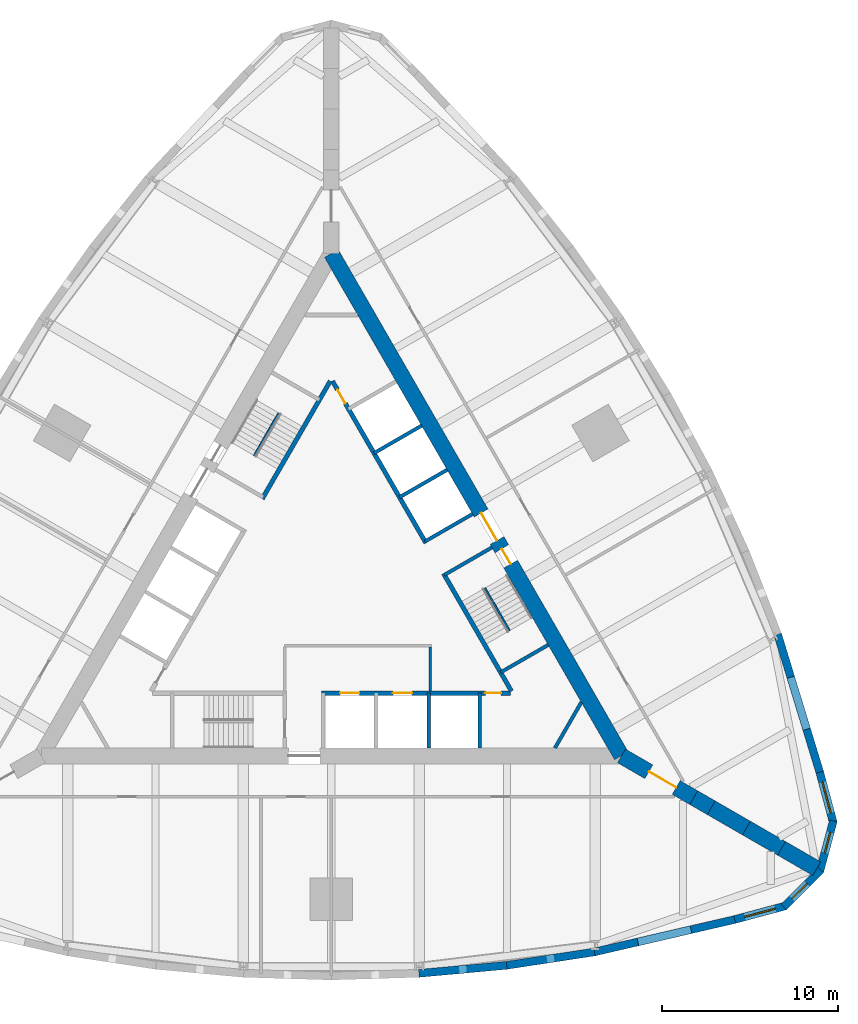
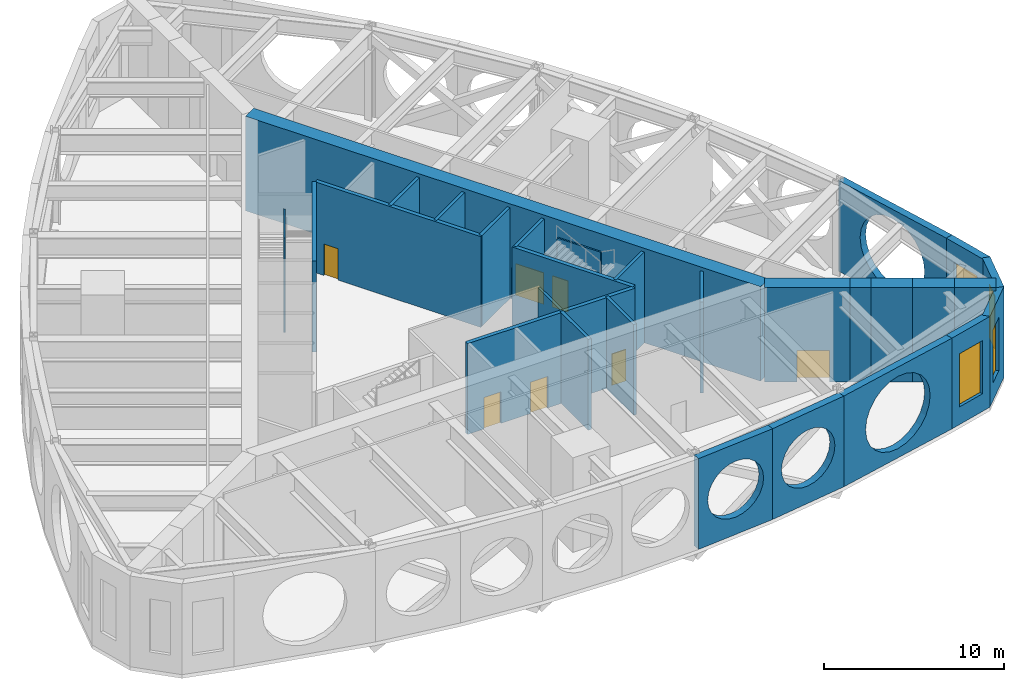
# One storey, part 4 of 7: 29 walls, 7 doors, 4 windows, 11 openings.
"""IFC4 building model written with IfcOpenShell, lengths in metres."""

from ifc_helpers import new_model, si_unit, direction, frame, frame_2d, origin, place, context, subcontext, project, spatial, polyline, rectangle, outline, extrude, material, layer, layer_set, type_object, element, fill, save


model = new_model("IFC4")

# Units and contexts
model_context = context("Model", 3, precision=1e-05, world=origin(), true_north=direction((0.0, 1.0)))
body_context = subcontext(model_context, "Body", "Model", "MODEL_VIEW")
ifc_project = project(units=[si_unit("LENGTHUNIT", "METRE"), si_unit("AREAUNIT", "SQUARE_METRE"), si_unit("VOLUMEUNIT", "CUBIC_METRE"), si_unit("PLANEANGLEUNIT", "RADIAN"), si_unit("MASSUNIT", "GRAM", prefix="KILO")], contexts=[model_context])

# Site, building, storey
site_placement = place(None, origin())
site = spatial("IfcSite", under=ifc_project, at=site_placement, CompositionType="ELEMENT")
building_placement = place(site_placement, origin())
building = spatial("IfcBuilding", under=site, at=building_placement, Name="Trikona Tower", CompositionType="ELEMENT")
storey_placement = place(building_placement, frame((0.0, 0.0, 103.300048828125)))
storey = spatial("IfcBuildingStorey", under=building, at=storey_placement, Name="L27", CompositionType="ELEMENT", Elevation=103.300048828125)

# Wall, opening, window
ifc_material_1 = material(Name="Brick-faced precast concrete", Category="masonry")
ifc_layer_1 = layer(ifc_material_1, 0.449951171875)
ifc_layer_set_1 = layer_set([ifc_layer_1], Name="Brick-faced corner wall 450")
wall_type_1 = type_object("IfcWallType", Name="Brick-faced corner wall 450", PredefinedType="SOLIDWALL", material=ifc_layer_set_1)
wall_1_placement = place(storey_placement, frame((22.94189453125, -18.835205078125, 0.0), z_axis=(0.0, 0.0, 1.0), x_axis=(0.965930548995, 0.258801419081, 0.0)))
wall_1 = element("IfcWall", 1, at=wall_1_placement, inside=storey, type_object=wall_type_1, Name="External wall L27-08", PredefinedType="SOLIDWALL", context=body_context, shape_type="SweptSolid", body=[
    extrude(rectangle(XDim=2.988525390625, YDim=0.449951171875, at=frame_2d((1.494140625, 0.0))), origin(), (0.0, 0.0, 1.0), 6.14990234375),
])
opening_1_placement = place(wall_1_placement, frame((0.59423828125, 0.0, 1.199951171875)))
opening_1 = element("IfcOpeningElement", 2, at=opening_1_placement, cuts=wall_1, Name="Opening W1836", PredefinedType="OPENING", context=body_context, shape_type="SweptSolid", body=[
    extrude(rectangle(XDim=1.800048828125, YDim=3.60009765625, at=frame_2d((0.89990234375, 1.800048828125))), frame((0.0, 0.23486328125, 0.0), z_axis=(0.0, -1.0, 0.0), x_axis=(1.0, 0.0, 0.0)), (0.0, 0.0, 1.0), 0.469970703125),
])
ifc_material_2 = material(Name="Aluminium-framed double glazing", Category="aluminium")
window_type_1 = type_object("IfcWindowType", Name="Window 1800x3600", PartitioningType="SINGLE_PANEL", PredefinedType="WINDOW", material=ifc_material_2)
window_1_placement = place(opening_1_placement, origin())
window_1 = element("IfcWindow", 3, at=window_1_placement, inside=storey, type_object=window_type_1, Name="Window L27-RFG1", OverallHeight=3.60009765625, OverallWidth=1.800048828125, PartitioningType="SINGLE_PANEL", PredefinedType="WINDOW", context=body_context, shape_type="SweptSolid", body=[
    extrude(rectangle(XDim=1.800048828125, YDim=3.60009765625, at=frame_2d((0.89990234375, 1.800048828125))), frame((0.0, 0.030029296875, 0.0), z_axis=(0.0, -1.0, 0.0), x_axis=(1.0, 0.0, 0.0)), (0.0, 0.0, 1.0), 0.06005859375),
])
fill(opening_1, window_1)

wall_2_placement = place(storey_placement, frame((25.727783203125, -18.1201171875, 0.0), z_axis=(0.0, 0.0, 1.0), x_axis=(0.707025086683, 0.707188466253, 0.0)))
wall_2 = element("IfcWall", 4, at=wall_2_placement, inside=storey, type_object=wall_type_1, Name="External wall L27-09", PredefinedType="SOLIDWALL", context=body_context, shape_type="SweptSolid", body=[
    extrude(outline(polyline([(2.988525390625, 0.22509765625), (2.929931640625, 0.22509765625), (2.4375, 0.093017578125), (2.402099609375, 0.22509765625), (0.0, 0.22509765625), (0.0, -0.22509765625), (2.988525390625, -0.22509765625), (2.988525390625, 0.22509765625)])), origin(), (0.0, 0.0, 1.0), 6.14990234375),
])
opening_2_placement = place(wall_2_placement, frame((0.676025390625, 0.0, 1.199951171875)))
opening_2 = element("IfcOpeningElement", 5, at=opening_2_placement, cuts=wall_2, Name="Opening W1236", PredefinedType="OPENING", context=body_context, shape_type="SweptSolid", body=[
    extrude(rectangle(XDim=1.199951171875, YDim=3.60009765625, at=frame_2d((0.60009765625, 1.800048828125))), frame((0.0, 0.23486328125, 0.0), z_axis=(0.0, -1.0, 0.0), x_axis=(1.0, 0.0, 0.0)), (0.0, 0.0, 1.0), 0.469970703125),
])
ifc_material_3 = material(Name="Aluminium-framed double glazing", Category="aluminium")
window_type_2 = type_object("IfcWindowType", Name="Window 1200x3600", PartitioningType="SINGLE_PANEL", PredefinedType="WINDOW", material=ifc_material_3)
window_2_placement = place(opening_2_placement, origin())
window_2 = element("IfcWindow", 6, at=window_2_placement, inside=storey, type_object=window_type_2, Name="Window L27-RFG1", OverallHeight=3.60009765625, OverallWidth=1.199951171875, PartitioningType="SINGLE_PANEL", PredefinedType="WINDOW", context=body_context, shape_type="SweptSolid", body=[
    extrude(rectangle(XDim=1.199951171875, YDim=3.60009765625, at=frame_2d((0.60009765625, 1.800048828125))), frame((0.0, 0.030029296875, 0.0), z_axis=(0.0, -1.0, 0.0), x_axis=(1.0, 0.0, 0.0)), (0.0, 0.0, 1.0), 0.06005859375),
])
fill(opening_2, window_2)

wall_3_placement = place(storey_placement, frame((27.78271484375, -16.107666015625, 0.0), z_axis=(0.0, 0.0, 1.0), x_axis=(0.258801419081, 0.965930548995, 0.0)))
wall_3 = element("IfcWall", 7, at=wall_3_placement, inside=storey, type_object=wall_type_1, Name="External wall L27-10", PredefinedType="SOLIDWALL", context=body_context, shape_type="SweptSolid", body=[
    extrude(outline(polyline([(2.988525390625, 0.22509765625), (0.58642578125, 0.22509765625), (0.55126953125, 0.09326171875), (0.0595703125, 0.22509765625), (0.0, 0.22509765625), (0.0, -0.22509765625), (2.988525390625, -0.22509765625), (2.988525390625, 0.22509765625)])), origin(), (0.0, 0.0, 1.0), 6.14990234375),
])
opening_3_placement = place(wall_3_placement, frame((1.112548828125, 0.0, 1.199951171875)))
opening_3 = element("IfcOpeningElement", 8, at=opening_3_placement, cuts=wall_3, Name="Opening W1236", PredefinedType="OPENING", context=body_context, shape_type="SweptSolid", body=[
    extrude(rectangle(XDim=1.199951171875, YDim=3.60009765625, at=frame_2d((0.60009765625, 1.800048828125))), frame((0.0, 0.23486328125, 0.0), z_axis=(0.0, -1.0, 0.0), x_axis=(1.0, 0.0, 0.0)), (0.0, 0.0, 1.0), 0.469970703125),
])
window_3_placement = place(opening_3_placement, origin())
window_3 = element("IfcWindow", 9, at=window_3_placement, inside=storey, type_object=window_type_2, Name="Window L27-HXR", OverallHeight=3.60009765625, OverallWidth=1.199951171875, PartitioningType="SINGLE_PANEL", PredefinedType="WINDOW", context=body_context, shape_type="SweptSolid", body=[
    extrude(rectangle(XDim=1.199951171875, YDim=3.60009765625, at=frame_2d((0.60009765625, 1.800048828125))), frame((0.0, 0.030029296875, 0.0), z_axis=(0.0, -1.0, 0.0), x_axis=(1.0, 0.0, 0.0)), (0.0, 0.0, 1.0), 0.06005859375),
])
fill(opening_3, window_3)

wall_4_placement = place(storey_placement, frame((28.55615234375, -13.33740234375, 0.0), z_axis=(0.0, 0.0, 1.0), x_axis=(-0.258780998834, 0.965936019953, 0.0)))
wall_4 = element("IfcWall", 10, at=wall_4_placement, inside=storey, type_object=wall_type_1, Name="External wall L27-11", PredefinedType="SOLIDWALL", context=body_context, shape_type="SweptSolid", body=[
    extrude(rectangle(XDim=2.98876953125, YDim=0.449951171875, at=frame_2d((1.494384765625, 0.0))), origin(), (0.0, 0.0, 1.0), 6.14990234375),
])
opening_4_placement = place(wall_4_placement, frame((0.59423828125, 0.0, 1.199951171875)))
opening_4 = element("IfcOpeningElement", 11, at=opening_4_placement, cuts=wall_4, Name="Opening W1836", PredefinedType="OPENING", context=body_context, shape_type="SweptSolid", body=[
    extrude(rectangle(XDim=1.800048828125, YDim=3.60009765625, at=frame_2d((0.89990234375, 1.800048828125))), frame((0.0, 0.23486328125, 0.0), z_axis=(0.0, -1.0, 0.0), x_axis=(1.0, 0.0, 0.0)), (0.0, 0.0, 1.0), 0.469970703125),
])
window_4_placement = place(opening_4_placement, origin())
window_4 = element("IfcWindow", 12, at=window_4_placement, inside=storey, type_object=window_type_1, Name="Window L27-HXR", OverallHeight=3.60009765625, OverallWidth=1.800048828125, PartitioningType="SINGLE_PANEL", PredefinedType="WINDOW", context=body_context, shape_type="SweptSolid", body=[
    extrude(rectangle(XDim=1.800048828125, YDim=3.60009765625, at=frame_2d((0.89990234375, 1.800048828125))), frame((0.0, 0.030029296875, 0.0), z_axis=(0.0, -1.0, 0.0), x_axis=(1.0, 0.0, 0.0)), (0.0, 0.0, 1.0), 0.06005859375),
])
fill(opening_4, window_4)

# Walls
ifc_material_4 = material(Name="Brick-faced precast concrete with louvred openings", Category="masonry")
ifc_layer_2 = layer(ifc_material_4, 0.449951171875)
ifc_layer_set_2 = layer_set([ifc_layer_2], Name="Brick-faced plant wall 450")
wall_type_2 = type_object("IfcWallType", Name="Brick-faced plant wall 450", PredefinedType="SOLIDWALL", material=ifc_layer_set_2)
wall_5_placement = place(storey_placement, frame((4.9794921875, -21.896240234375, 0.0), z_axis=(0.0, 0.0, 1.0), x_axis=(0.995857256774, 0.090930325692, 0.0)))
element("IfcWall", 13, at=wall_5_placement, inside=storey, type_object=wall_type_2, Name="External wall L27-05", PredefinedType="SOLIDWALL", context=body_context, shape_type="SweptSolid", body=[
    extrude(outline(polyline([(0.0, 0.0), (5.020751953125, 0.0), (5.020751953125, 6.14990234375), (0.0, 6.14990234375), (0.0, 0.0)]), holes=[polyline([(4.410400390625, 3.074951171875), (4.345703125, 3.566650390625), (4.15576171875, 4.02490234375), (3.85400390625, 4.41845703125), (3.46044921875, 4.720458984375), (3.002197265625, 4.91015625), (2.510498046875, 4.974853515625), (2.0185546875, 4.91015625), (1.560302734375, 4.720458984375), (1.1669921875, 4.41845703125), (0.864990234375, 4.02490234375), (0.675048828125, 3.566650390625), (0.6103515625, 3.074951171875), (0.675048828125, 2.583251953125), (0.864990234375, 2.125), (1.1669921875, 1.7314453125), (1.560302734375, 1.429443359375), (2.0185546875, 1.23974609375), (2.510498046875, 1.175048828125), (3.002197265625, 1.23974609375), (3.46044921875, 1.429443359375), (3.85400390625, 1.7314453125), (4.15576171875, 2.125), (4.345703125, 2.583251953125), (4.410400390625, 3.074951171875)])]), frame((0.0, 0.22509765625, 0.0), z_axis=(0.0, -1.0, 0.0), x_axis=(1.0, 0.0, 0.0)), (0.0, 0.0, 1.0), 0.449951171875),
])
wall_6_placement = place(storey_placement, frame((9.966064453125, -21.44140625, 0.0), z_axis=(0.0, 0.0, 1.0), x_axis=(0.988622582897, 0.150417381265, 0.0)))
element("IfcWall", 14, at=wall_6_placement, inside=storey, type_object=wall_type_2, Name="External wall L27-06", PredefinedType="SOLIDWALL", context=body_context, shape_type="SweptSolid", body=[
    extrude(outline(polyline([(0.0, 0.0), (5.0576171875, 0.0), (5.0576171875, 6.14990234375), (0.0, 6.14990234375), (0.0, 0.0)]), holes=[polyline([(4.4287109375, 3.074951171875), (4.364013671875, 3.566650390625), (4.17431640625, 4.02490234375), (3.872314453125, 4.41845703125), (3.478759765625, 4.720458984375), (3.0205078125, 4.91015625), (2.52880859375, 4.974853515625), (2.037109375, 4.91015625), (1.578857421875, 4.720458984375), (1.185302734375, 4.41845703125), (0.88330078125, 4.02490234375), (0.693603515625, 3.566650390625), (0.62890625, 3.074951171875), (0.693603515625, 2.583251953125), (0.88330078125, 2.125), (1.185302734375, 1.7314453125), (1.578857421875, 1.429443359375), (2.037109375, 1.23974609375), (2.52880859375, 1.175048828125), (3.0205078125, 1.23974609375), (3.478759765625, 1.429443359375), (3.872314453125, 1.7314453125), (4.17431640625, 2.125), (4.364013671875, 2.583251953125), (4.4287109375, 3.074951171875)])]), frame((0.0, 0.22509765625, 0.0), z_axis=(0.0, -1.0, 0.0), x_axis=(1.0, 0.0, 0.0)), (0.0, 0.0, 1.0), 0.449951171875),
])
wall_7_placement = place(storey_placement, frame((14.94921875, -20.683837890625, 0.0), z_axis=(0.0, 0.0, 1.0), x_axis=(0.974279327392, 0.225343720163, 0.0)))
element("IfcWall", 15, at=wall_7_placement, inside=storey, type_object=wall_type_2, Name="External wall L27-07", PredefinedType="SOLIDWALL", context=body_context, shape_type="SweptSolid", body=[
    extrude(outline(polyline([(0.0, 0.0), (8.211181640625, 0.0), (8.211181640625, 6.14990234375), (0.0, 6.14990234375), (0.0, 0.0)]), holes=[polyline([(6.5556640625, 3.074951171875), (6.47216796875, 3.708984375), (6.227294921875, 4.300048828125), (5.837890625, 4.807373046875), (5.33056640625, 5.19677734375), (4.73974609375, 5.44140625), (4.105712890625, 5.52490234375), (3.471435546875, 5.44140625), (2.880615234375, 5.19677734375), (2.373291015625, 4.807373046875), (1.98388671875, 4.300048828125), (1.739013671875, 3.708984375), (1.655517578125, 3.074951171875), (1.739013671875, 2.44091796875), (1.98388671875, 1.849853515625), (2.373291015625, 1.342529296875), (2.880615234375, 0.953125), (3.471435546875, 0.70849609375), (4.105712890625, 0.625), (4.73974609375, 0.70849609375), (5.33056640625, 0.953125), (5.837890625, 1.342529296875), (6.227294921875, 1.849853515625), (6.47216796875, 2.44091796875), (6.5556640625, 3.074951171875)])]), frame((0.0, 0.22509765625, 0.0), z_axis=(0.0, -1.0, 0.0), x_axis=(1.0, 0.0, 0.0)), (0.0, 0.0, 1.0), 0.449951171875),
])
wall_8_placement = place(storey_placement, frame((27.784912109375, -10.4580078125, 0.0), z_axis=(0.0, 0.0, 1.0), x_axis=(-0.291997961298, 0.956418940945, 0.0)))
element("IfcWall", 16, at=wall_8_placement, inside=storey, type_object=wall_type_2, Name="External wall L27-12", PredefinedType="SOLIDWALL", context=body_context, shape_type="SweptSolid", body=[
    extrude(outline(polyline([(0.0, 0.0), (8.21142578125, 0.0), (8.21142578125, 6.14990234375), (0.0, 6.14990234375), (0.0, 0.0)]), holes=[polyline([(6.5556640625, 3.074951171875), (6.47216796875, 3.708984375), (6.227294921875, 4.300048828125), (5.837890625, 4.807373046875), (5.33056640625, 5.19677734375), (4.73974609375, 5.44140625), (4.105712890625, 5.52490234375), (3.471435546875, 5.44140625), (2.880615234375, 5.19677734375), (2.373291015625, 4.807373046875), (1.98388671875, 4.300048828125), (1.739013671875, 3.708984375), (1.655517578125, 3.074951171875), (1.739013671875, 2.44091796875), (1.98388671875, 1.849853515625), (2.373291015625, 1.342529296875), (2.880615234375, 0.953125), (3.471435546875, 0.70849609375), (4.105712890625, 0.625), (4.73974609375, 0.70849609375), (5.33056640625, 0.953125), (5.837890625, 1.342529296875), (6.227294921875, 1.849853515625), (6.47216796875, 2.44091796875), (6.5556640625, 3.074951171875)])]), frame((0.0, 0.22509765625, 0.0), z_axis=(0.0, -1.0, 0.0), x_axis=(1.0, 0.0, 0.0)), (0.0, 0.0, 1.0), 0.449951171875),
])

# Wall, opening, door
ifc_material_5 = material(Name="Concrete f'c 10000 psi", Category="concrete")
ifc_layer_3 = layer(ifc_material_5, 0.89990234375)
ifc_layer_set_3 = layer_set([ifc_layer_3], Name="Buttress wall 900")
wall_type_3 = type_object("IfcWallType", Name="Buttress wall 900", PredefinedType="SHEAR", material=ifc_layer_set_3)
wall_9_placement = place(storey_placement, frame((16.5, -9.5263671875, 0.0), z_axis=(0.0, 0.0, 1.0), x_axis=(0.866031398331, -0.499989616998, 0.0)))
wall_9 = element("IfcWall", 17, at=wall_9_placement, inside=storey, type_object=wall_type_3, Name="Buttress wall 1", PredefinedType="SHEAR", context=body_context, shape_type="SweptSolid", body=[
    extrude(rectangle(XDim=4.74609375, YDim=0.89990234375, at=frame_2d((2.373046875, 0.0))), origin(), (0.0, 0.0, 1.0), 6.39990234375),
])
opening_5_placement = place(wall_9_placement, frame((1.800048828125, 0.0, 0.0)))
opening_5 = element("IfcOpeningElement", 18, at=opening_5_placement, cuts=wall_9, Name="Opening D10", PredefinedType="OPENING", context=body_context, shape_type="SweptSolid", body=[
    extrude(rectangle(XDim=1.800048828125, YDim=2.1298828125, at=frame_2d((0.89990234375, 1.06494140625))), frame((0.0, 0.4599609375, 0.0), z_axis=(0.0, -1.0, 0.0), x_axis=(1.0, 0.0, 0.0)), (0.0, 0.0, 1.0), 0.919921875),
])
ifc_material_6 = material(Name="Hollow metal door and frame", Category="steel")
door_type_1 = type_object("IfcDoorType", Name="Cross-corridor door pair 1800x2130", OperationType="DOUBLE_DOOR_DOUBLE_SWING", PredefinedType="DOOR", material=ifc_material_6)
door_1_placement = place(opening_5_placement, origin())
door_1 = element("IfcDoor", 19, at=door_1_placement, inside=storey, type_object=door_type_1, Name="Cross-corridor door 1", OperationType="DOUBLE_DOOR_DOUBLE_SWING", OverallHeight=2.1298828125, OverallWidth=1.800048828125, PredefinedType="DOOR", context=body_context, shape_type="SweptSolid", body=[
    extrude(rectangle(XDim=1.800048828125, YDim=2.1298828125, at=frame_2d((0.89990234375, 1.06494140625))), frame((0.0, 0.02490234375, 0.0), z_axis=(0.0, -1.0, 0.0), x_axis=(1.0, 0.0, 0.0)), (0.0, 0.0, 1.0), 0.050048828125),
])
fill(opening_5, door_1)

# Walls
wall_10_placement = place(storey_placement, frame((20.6103515625, -11.8994140625, 0.0), z_axis=(0.0, 0.0, 1.0), x_axis=(0.866009537788, -0.500027479704, 0.0)))
element("IfcWall", 20, at=wall_10_placement, inside=storey, type_object=wall_type_3, Name="Buttress wall 1 part 2", PredefinedType="SHEAR", context=body_context, shape_type="SweptSolid", body=[
    extrude(rectangle(XDim=1.15478515625, YDim=0.89990234375, at=frame_2d((0.577392578125, 0.0))), origin(), (0.0, 0.0, 1.0), 6.39990234375),
])
for number, where, z_axis, x_axis, name in (
    (21, (21.6103515625, -12.476806640625, 0.0), (0.0, 0.0, 1.0), (0.866055313784, -0.499948190782, 0.0), "Buttress wall 1 part 3"),
    (22, (23.6103515625, -13.63134765625, 0.0), (0.0, 0.0, 1.0), (0.866009537788, -0.500027479704, 0.0), "Buttress wall 1 part 4"),
    (23, (25.6103515625, -14.7861328125, 0.0), (0.0, 0.0, 1.0), (0.866009537788, -0.500027479704, 0.0), "Buttress wall 1 part 5"),
):
    element("IfcWall", number, at=place(storey_placement, frame(where, z_axis=z_axis, x_axis=x_axis)), inside=storey, type_object=wall_type_3, Name=name, PredefinedType="SHEAR", context=body_context, shape_type="SweptSolid", body=[
        extrude(rectangle(XDim=2.309326171875, YDim=0.89990234375, at=frame_2d((1.15478515625, 0.0))), origin(), (0.0, 0.0, 1.0), 6.39990234375),
    ])

# Wall, openings, doors
ifc_material_7 = material(Name="Concrete f'c 10000 psi", Category="concrete")
ifc_layer_4 = layer(ifc_material_7, 0.89990234375)
ifc_layer_set_4 = layer_set([ifc_layer_4], Name="Core wall 900")
wall_type_4 = type_object("IfcWallType", Name="Core wall 900", PredefinedType="SHEAR", material=ifc_layer_set_4)
wall_11_placement = place(storey_placement, frame((16.5, -9.5263671875, 0.0), z_axis=(0.0, 0.0, 1.0), x_axis=(-0.499999749417, 0.866025548458, 0.0)))
wall_11 = element("IfcWall", 24, at=wall_11_placement, inside=storey, type_object=wall_type_4, Name="Core wall B", PredefinedType="SHEAR", context=body_context, shape_type="SweptSolid", body=[
    extrude(rectangle(XDim=33.0, YDim=0.89990234375, at=frame_2d((16.5, 0.0))), origin(), (0.0, 0.0, 1.0), 6.39990234375),
])
opening_6_placement = place(wall_11_placement, frame((14.14990234375, 0.0, 0.0)))
opening_6 = element("IfcOpeningElement", 25, at=opening_6_placement, cuts=wall_11, Name="Opening D6", PredefinedType="OPENING", context=body_context, shape_type="SweptSolid", body=[
    extrude(rectangle(XDim=1.800048828125, YDim=2.1298828125, at=frame_2d((0.89990234375, 1.06494140625))), frame((0.0, 0.4599609375, 0.0), z_axis=(0.0, -1.0, 0.0), x_axis=(1.0, 0.0, 0.0)), (0.0, 0.0, 1.0), 0.919921875),
])
opening_7_placement = place(wall_11_placement, frame((12.60009765625, 0.0, 0.0)))
opening_7 = element("IfcOpeningElement", 26, at=opening_7_placement, cuts=wall_11, Name="Opening D5", PredefinedType="OPENING", context=body_context, shape_type="SweptSolid", body=[
    extrude(rectangle(XDim=1.0, YDim=2.1298828125, at=frame_2d((0.5, 1.06494140625))), frame((0.0, 0.4599609375, 0.0), z_axis=(0.0, -1.0, 0.0), x_axis=(1.0, 0.0, 0.0)), (0.0, 0.0, 1.0), 0.919921875),
])
ifc_material_8 = material(Name="Hollow metal door and frame", Category="steel")
door_type_2 = type_object("IfcDoorType", Name="Lobby door pair 1800x2130", OperationType="DOUBLE_DOOR_SINGLE_SWING", PredefinedType="DOOR", material=ifc_material_8)
door_2_placement = place(opening_6_placement, origin())
door_2 = element("IfcDoor", 27, at=door_2_placement, inside=storey, type_object=door_type_2, Name="Lift lobby door B", OperationType="DOUBLE_DOOR_SINGLE_SWING", OverallHeight=2.1298828125, OverallWidth=1.800048828125, PredefinedType="DOOR", context=body_context, shape_type="SweptSolid", body=[
    extrude(rectangle(XDim=1.800048828125, YDim=2.1298828125, at=frame_2d((0.89990234375, 1.06494140625))), frame((0.0, 0.02490234375, 0.0), z_axis=(0.0, -1.0, 0.0), x_axis=(1.0, 0.0, 0.0)), (0.0, 0.0, 1.0), 0.050048828125),
])
fill(opening_6, door_2)
ifc_material_9 = material(Name="Hollow metal door and frame", Category="steel")
door_type_3 = type_object("IfcDoorType", Name="Stair door 1000x2130", OperationType="SINGLE_SWING_LEFT", PredefinedType="DOOR", material=ifc_material_9)
door_3_placement = place(opening_7_placement, origin())
door_3 = element("IfcDoor", 28, at=door_3_placement, inside=storey, type_object=door_type_3, Name="Stair B door", OperationType="SINGLE_SWING_RIGHT", OverallHeight=2.1298828125, OverallWidth=1.0, PredefinedType="DOOR", context=body_context, shape_type="SweptSolid", body=[
    extrude(rectangle(XDim=1.0, YDim=2.1298828125, at=frame_2d((0.5, 1.06494140625))), frame((0.0, 0.02490234375, 0.0), z_axis=(0.0, -1.0, 0.0), x_axis=(1.0, 0.0, 0.0)), (0.0, 0.0, 1.0), 0.050048828125),
])
fill(opening_7, door_3)

ifc_material_10 = material(Name="Concrete f'c 8000 psi", Category="concrete")
ifc_layer_5 = layer(ifc_material_10, 0.25)
ifc_layer_set_5 = layer_set([ifc_layer_5], Name="Hub wall 250")
wall_type_5 = type_object("IfcWallType", Name="Hub wall 250", PredefinedType="SOLIDWALL", material=ifc_layer_set_5)
wall_12_placement = place(storey_placement, frame((-0.550048828125, -5.951416015625, 0.0), z_axis=(0.0, 0.0, 1.0), x_axis=(1.0, 0.0, 0.0)))
wall_12 = element("IfcWall", 29, at=wall_12_placement, inside=storey, type_object=wall_type_5, Name="Lift lobby wall A2", PredefinedType="SOLIDWALL", context=body_context, shape_type="SweptSolid", body=[
    extrude(rectangle(XDim=10.73291015625, YDim=0.25, at=frame_2d((5.366455078125, 0.0))), origin(), (0.0, 0.0, 1.0), 6.14990234375),
])
opening_8_placement = place(wall_12_placement, frame((9.31396484375, 0.0, 0.0)))
opening_8 = element("IfcOpeningElement", 30, at=opening_8_placement, cuts=wall_12, Name="Opening D14", PredefinedType="OPENING", context=body_context, shape_type="SweptSolid", body=[
    extrude(rectangle(XDim=0.89990234375, YDim=2.1298828125, at=frame_2d((0.449951171875, 1.06494140625))), frame((0.0, 0.135009765625, 0.0), z_axis=(0.0, -1.0, 0.0), x_axis=(1.0, 0.0, 0.0)), (0.0, 0.0, 1.0), 0.27001953125),
])
opening_9_placement = place(wall_12_placement, frame((1.050048828125, 0.0, 0.0)))
opening_9 = element("IfcOpeningElement", 31, at=opening_9_placement, cuts=wall_12, Name="Opening LD", PredefinedType="OPENING", context=body_context, shape_type="SweptSolid", body=[
    extrude(rectangle(XDim=1.10009765625, YDim=2.1298828125, at=frame_2d((0.550048828125, 1.06494140625))), frame((0.0, 0.135009765625, 0.0), z_axis=(0.0, -1.0, 0.0), x_axis=(1.0, 0.0, 0.0)), (0.0, 0.0, 1.0), 0.27001953125),
])
opening_10_placement = place(wall_12_placement, frame((4.050048828125, 0.0, 0.0)))
opening_10 = element("IfcOpeningElement", 32, at=opening_10_placement, cuts=wall_12, Name="Opening LD", PredefinedType="OPENING", context=body_context, shape_type="SweptSolid", body=[
    extrude(rectangle(XDim=1.10009765625, YDim=2.1298828125, at=frame_2d((0.550048828125, 1.06494140625))), frame((0.0, 0.135009765625, 0.0), z_axis=(0.0, -1.0, 0.0), x_axis=(1.0, 0.0, 0.0)), (0.0, 0.0, 1.0), 0.27001953125),
])
ifc_material_11 = material(Name="Stainless steel lift landing door", Category="steel")
door_type_4 = type_object("IfcDoorType", Name="Lift landing door 1100x2130", OperationType="DOUBLE_DOOR_SLIDING", PredefinedType="USERDEFINED", material=ifc_material_11)
door_4_placement = place(opening_9_placement, origin())
door_4 = element("IfcDoor", 33, at=door_4_placement, inside=storey, type_object=door_type_4, Name="Lift landing door FF1", ObjectType="LIFT LANDING DOOR", OperationType="DOUBLE_DOOR_SLIDING", OverallHeight=2.1298828125, OverallWidth=1.10009765625, PredefinedType="USERDEFINED", context=body_context, shape_type="SweptSolid", body=[
    extrude(rectangle(XDim=1.10009765625, YDim=2.1298828125, at=frame_2d((0.550048828125, 1.06494140625))), frame((0.0, 0.02490234375, 0.0), z_axis=(0.0, -1.0, 0.0), x_axis=(1.0, 0.0, 0.0)), (0.0, 0.0, 1.0), 0.050048828125),
])
fill(opening_9, door_4)
door_5_placement = place(opening_10_placement, origin())
door_5 = element("IfcDoor", 34, at=door_5_placement, inside=storey, type_object=door_type_4, Name="Lift landing door FF2", ObjectType="LIFT LANDING DOOR", OperationType="DOUBLE_DOOR_SLIDING", OverallHeight=2.1298828125, OverallWidth=1.10009765625, PredefinedType="USERDEFINED", context=body_context, shape_type="SweptSolid", body=[
    extrude(rectangle(XDim=1.10009765625, YDim=2.1298828125, at=frame_2d((0.550048828125, 1.06494140625))), frame((0.0, 0.02490234375, 0.0), z_axis=(0.0, -1.0, 0.0), x_axis=(1.0, 0.0, 0.0)), (0.0, 0.0, 1.0), 0.050048828125),
])
fill(opening_10, door_5)
ifc_material_12 = material(Name="Hollow metal door and frame", Category="steel")
door_type_5 = type_object("IfcDoorType", Name="Service room door 900x2130", OperationType="SINGLE_SWING_LEFT", PredefinedType="DOOR", material=ifc_material_12)
door_6_placement = place(opening_8_placement, origin())
door_6 = element("IfcDoor", 35, at=door_6_placement, inside=storey, type_object=door_type_5, Name="Door Plant store PST", OperationType="SINGLE_SWING_RIGHT", OverallHeight=2.1298828125, OverallWidth=0.89990234375, PredefinedType="DOOR", context=body_context, shape_type="SweptSolid", body=[
    extrude(rectangle(XDim=0.89990234375, YDim=2.1298828125, at=frame_2d((0.449951171875, 1.06494140625))), frame((0.0, 0.02490234375, 0.0), z_axis=(0.0, -1.0, 0.0), x_axis=(1.0, 0.0, 0.0)), (0.0, 0.0, 1.0), 0.050048828125),
])
fill(opening_8, door_6)

# Wall
wall_13_placement = place(storey_placement, frame((10.245361328125, -5.843017578125, 0.0), z_axis=(0.0, 0.0, 1.0), x_axis=(-0.499993009313, 0.866029439822, 0.0)))
element("IfcWall", 36, at=wall_13_placement, inside=storey, type_object=wall_type_5, Name="Lift lobby wall B1", PredefinedType="SOLIDWALL", context=body_context, shape_type="SweptSolid", body=[
    extrude(rectangle(XDim=7.73291015625, YDim=0.25, at=frame_2d((3.866455078125, 0.0))), origin(), (0.0, 0.0, 1.0), 6.14990234375),
])

# Wall, opening, door
wall_14_placement = place(storey_placement, frame((5.37890625, 2.5859375, 0.0), z_axis=(0.0, 0.0, 1.0), x_axis=(-0.500001375892, 0.866024609411, 0.0)))
wall_14 = element("IfcWall", 37, at=wall_14_placement, inside=storey, type_object=wall_type_5, Name="Lift lobby wall B2", PredefinedType="SOLIDWALL", context=body_context, shape_type="SweptSolid", body=[
    extrude(rectangle(XDim=10.6328125, YDim=0.25, at=frame_2d((5.31640625, 0.0))), origin(), (0.0, 0.0, 1.0), 6.14990234375),
])
opening_11_placement = place(wall_14_placement, frame((9.1640625, 0.0, 0.0)))
opening_11 = element("IfcOpeningElement", 38, at=opening_11_placement, cuts=wall_14, Name="Opening D14", PredefinedType="OPENING", context=body_context, shape_type="SweptSolid", body=[
    extrude(rectangle(XDim=0.89990234375, YDim=2.1298828125, at=frame_2d((0.449951171875, 1.06494140625))), frame((0.0, 0.135009765625, 0.0), z_axis=(0.0, -1.0, 0.0), x_axis=(1.0, 0.0, 0.0)), (0.0, 0.0, 1.0), 0.27001953125),
])
door_7_placement = place(opening_11_placement, origin())
door_7 = element("IfcDoor", 39, at=door_7_placement, inside=storey, type_object=door_type_5, Name="Door IT and communications room ITC", OperationType="SINGLE_SWING_RIGHT", OverallHeight=2.1298828125, OverallWidth=0.89990234375, PredefinedType="DOOR", context=body_context, shape_type="SweptSolid", body=[
    extrude(rectangle(XDim=0.89990234375, YDim=2.1298828125, at=frame_2d((0.449951171875, 1.06494140625))), frame((0.0, 0.02490234375, 0.0), z_axis=(0.0, -1.0, 0.0), x_axis=(1.0, 0.0, 0.0)), (0.0, 0.0, 1.0), 0.050048828125),
])
fill(opening_11, door_7)

# Walls
wall_15_placement = place(storey_placement, frame((-0.0625, 11.794189453125, 0.0), z_axis=(0.0, 0.0, 1.0), x_axis=(-0.500006680225, -0.86602154692, 0.0)))
element("IfcWall", 40, at=wall_15_placement, inside=storey, type_object=wall_type_5, Name="Lift lobby wall C1", PredefinedType="SOLIDWALL", context=body_context, shape_type="SweptSolid", body=[
    extrude(rectangle(XDim=7.73291015625, YDim=0.25, at=frame_2d((3.866455078125, 0.0))), origin(), (0.0, 0.0, 1.0), 6.14990234375),
])
ifc_material_13 = material(Name="Metal stud and gypsum board, 2-hour shaft wall", Category="gypsum")
ifc_layer_6 = layer(ifc_material_13, 0.14990234375)
ifc_layer_set_6 = layer_set([ifc_layer_6], Name="Lobby wall 150")
wall_type_6 = type_object("IfcWallType", Name="Lobby wall 150", PredefinedType="PARTITIONING", material=ifc_layer_set_6)
wall_16_placement = place(storey_placement, frame((5.625, -5.826416015625, 0.0), z_axis=(0.0, 0.0, 1.0), x_axis=(0.0, 1.0, 0.0)))
element("IfcWall", 41, at=wall_16_placement, inside=storey, type_object=wall_type_6, Name="Fire service lift lobby wall 3", PredefinedType="PARTITIONING", context=body_context, shape_type="SweptSolid", body=[
    extrude(rectangle(XDim=2.5, YDim=0.14990234375, at=frame_2d((1.25, 0.0))), origin(), (0.0, 0.0, 1.0), 6.14990234375),
])
ifc_material_14 = material(Name="Concrete f'c 8000 psi", Category="concrete")
ifc_layer_7 = layer(ifc_material_14, 0.199951171875)
ifc_layer_set_7 = layer_set([ifc_layer_7], Name="Shaft wall 200")
wall_type_7 = type_object("IfcWallType", Name="Shaft wall 200", PredefinedType="SOLIDWALL", material=ifc_layer_set_7)
for number, where, z_axis, x_axis, name in (
    (42, (5.550048828125, -5.951416015625, 0.0), (0.0, 0.0, 1.0), (0.0, -1.0, 0.0), "Shaft wall A5"),
    (43, (8.449951171875, -5.951416015625, 0.0), (0.0, 0.0, 1.0), (0.0, -1.0, 0.0), "Shaft wall A6"),
    (44, (5.3291015625, 2.672607421875, 0.0), (0.0, 0.0, 1.0), (0.866022959057, 0.500004234368, 0.0), "Shaft wall B3"),
    (45, (3.87890625, 5.18408203125, 0.0), (0.0, 0.0, 1.0), (0.866022959057, 0.500004234368, 0.0), "Shaft wall B4"),
    (46, (2.428955078125, 7.695556640625, 0.0), (0.0, 0.0, 1.0), (0.866022959057, 0.500004234368, 0.0), "Shaft wall B5"),
):
    element("IfcWall", number, at=place(storey_placement, frame(where, z_axis=z_axis, x_axis=x_axis)), inside=storey, type_object=wall_type_7, Name=name, PredefinedType="SOLIDWALL", context=body_context, shape_type="SweptSolid", body=[
        extrude(rectangle(XDim=3.125, YDim=0.199951171875, at=frame_2d((1.5625, 0.0))), origin(), (0.0, 0.0, 1.0), 6.14990234375),
    ])
wall_17_placement = place(storey_placement, frame((14.219482421875, -6.476318359375, 0.0), z_axis=(0.0, 0.0, 1.0), x_axis=(-0.499952404951, -0.866052881055, 0.0)))
element("IfcWall", 47, at=wall_17_placement, inside=storey, type_object=wall_type_7, Name="Riser wall L27-RS1", PredefinedType="SOLIDWALL", context=body_context, shape_type="SweptSolid", body=[
    extrude(rectangle(XDim=3.002197265625, YDim=0.199951171875, at=frame_2d((1.5009765625, 0.0))), origin(), (0.0, 0.0, 1.0), 6.14990234375),
])
ifc_material_15 = material(Name="Concrete f'c 8000 psi", Category="concrete")
ifc_layer_8 = layer(ifc_material_15, 0.199951171875)
ifc_layer_set_8 = layer_set([ifc_layer_8], Name="Shaft wall 200 load-bearing")
wall_type_8 = type_object("IfcWallType", Name="Shaft wall 200 load-bearing", PredefinedType="SOLIDWALL", material=ifc_layer_set_8)
for number, where, z_axis, x_axis, name in (
    (48, (9.62890625, -4.775390625, 0.0), (0.0, 0.0, 1.0), (0.866022959057, 0.500004234368, 0.0), "Shaft wall B1"),
    (49, (6.428955078125, 0.767333984375, 0.0), (0.0, 0.0, 1.0), (0.866022959057, 0.500004234368, 0.0), "Shaft wall B2"),
):
    element("IfcWall", number, at=place(storey_placement, frame(where, z_axis=z_axis, x_axis=x_axis)), inside=storey, type_object=wall_type_8, Name=name, PredefinedType="SOLIDWALL", context=body_context, shape_type="SweptSolid", body=[
        extrude(rectangle(XDim=3.125, YDim=0.199951171875, at=frame_2d((1.5625, 0.0))), origin(), (0.0, 0.0, 1.0), 6.14990234375),
    ])
ifc_material_16 = material(Name="Concrete f'c 5000 psi", Category="concrete")
ifc_layer_9 = layer(ifc_material_16, 0.10009765625)
ifc_layer_set_9 = layer_set([ifc_layer_9], Name="Stair spine wall 100")
wall_type_9 = type_object("IfcWallType", Name="Stair spine wall 100", PredefinedType="SOLIDWALL", material=ifc_layer_set_9)
for number, where, z_axis, x_axis, name in (
    (50, (10.134765625, -2.4013671875, 0.0), (0.0, 0.0, 1.0), (-0.499992232847, 0.866029888106, 0.0), "Stair B spine wall L27"),
    (51, (-2.98779296875, 9.9775390625, 0.0), (0.0, 0.0, 1.0), (-0.499992232847, -0.866029888106, 0.0), "Stair C spine wall L27"),
):
    element("IfcWall", number, at=place(storey_placement, frame(where, z_axis=z_axis, x_axis=x_axis)), inside=storey, type_object=wall_type_9, Name=name, PredefinedType="SOLIDWALL", context=body_context, shape_type="SweptSolid", body=[
        extrude(rectangle(XDim=2.7939453125, YDim=0.10009765625, at=frame_2d((1.39697265625, 0.0))), origin(), (0.0, 0.0, 1.0), 6.39990234375),
    ])

save(model, "model.ifc")
